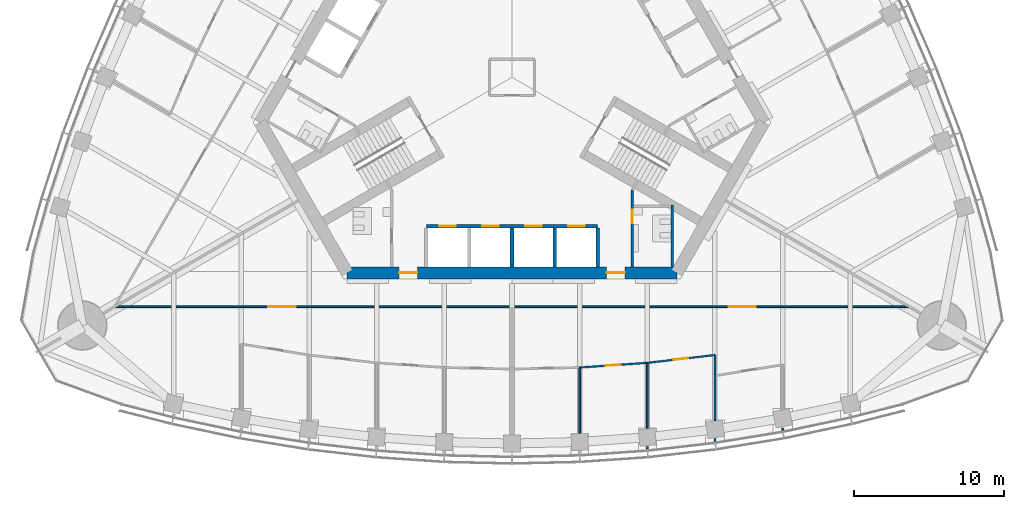
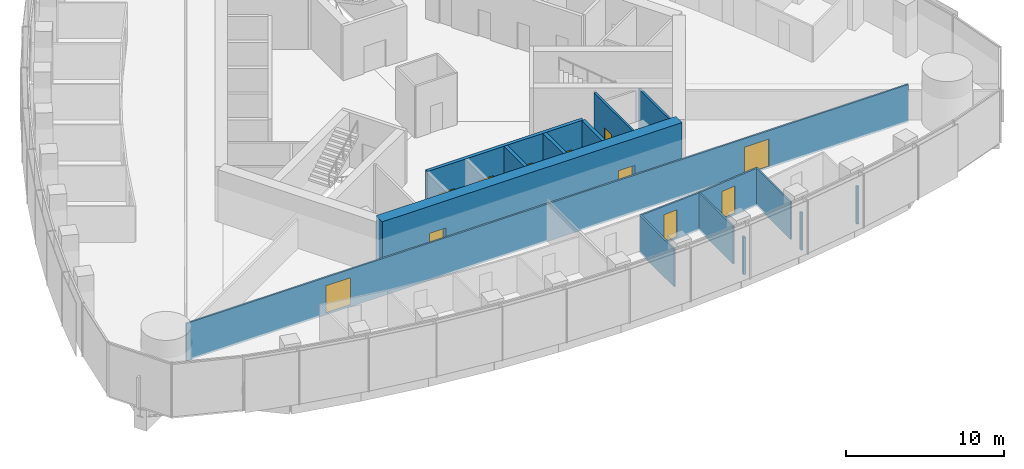
# One storey, part 12 of 20: 16 walls, 11 doors, 11 openings.
"""IFC4 building model written with IfcOpenShell, lengths in metres."""

from ifc_helpers import new_model, si_unit, direction, frame, frame_2d, origin, place, context, subcontext, project, spatial, rectangle, extrude, material, layer, layer_set, type_object, element, fill, save


model = new_model("IFC4")

# Units and contexts
model_context = context("Model", 3, precision=1e-05, world=origin(), true_north=direction((0.0, 1.0)))
body_context = subcontext(model_context, "Body", "Model", "MODEL_VIEW")
ifc_project = project(units=[si_unit("LENGTHUNIT", "METRE"), si_unit("AREAUNIT", "SQUARE_METRE"), si_unit("VOLUMEUNIT", "CUBIC_METRE"), si_unit("PLANEANGLEUNIT", "RADIAN"), si_unit("MASSUNIT", "GRAM", prefix="KILO")], contexts=[model_context])

# Site, building, storey
site_placement = place(None, origin())
site = spatial("IfcSite", under=ifc_project, at=site_placement, CompositionType="ELEMENT")
building_placement = place(site_placement, origin())
building = spatial("IfcBuilding", under=site, at=building_placement, Name="Trefoil Bronze Tower", CompositionType="ELEMENT")
storey_placement = place(building_placement, frame((0.0, 0.0, 214.89990234375)))
storey = spatial("IfcBuildingStorey", under=building, at=storey_placement, Name="L49", CompositionType="ELEMENT", Elevation=214.89990234375)

# Wall, openings, doors
ifc_material_1 = material(Name="Concrete B80", Category="concrete")
ifc_layer_1 = layer(ifc_material_1, 0.800048828125)
ifc_layer_set_1 = layer_set([ifc_layer_1], Name="Core wall 800")
wall_type_1 = type_object("IfcWallType", Name="Core wall 800", PredefinedType="SHEAR", material=ifc_layer_set_1)
wall_1_placement = place(storey_placement, frame((-10.9697265625, -13.0, 0.0), z_axis=(0.0, 0.0, 1.0), x_axis=(1.0, 0.0, 0.0)))
wall_1 = element("IfcWall", 1, at=wall_1_placement, inside=storey, type_object=wall_type_1, Name="Core long wall 1 L49", PredefinedType="SHEAR", context=body_context, shape_type="SweptSolid", body=[
    extrude(rectangle(XDim=21.939453125, YDim=0.800048828125, at=frame_2d((10.9697265625, 0.0))), origin(), (0.0, 0.0, 1.0), 4.2001953125),
])
opening_1_placement = place(wall_1_placement, frame((17.269775390625, 0.0, 0.0)))
opening_1 = element("IfcOpeningElement", 2, at=opening_1_placement, cuts=wall_1, Name="Opening D2", PredefinedType="OPENING", context=body_context, shape_type="SweptSolid", body=[
    extrude(rectangle(XDim=1.199951171875, YDim=2.10009765625, at=frame_2d((0.60009765625, 1.050048828125))), frame((0.0, 0.409912109375, 0.0), z_axis=(0.0, -1.0, 0.0), x_axis=(1.0, 0.0, 0.0)), (0.0, 0.0, 1.0), 0.820068359375),
])
opening_2_placement = place(wall_1_placement, frame((3.4697265625, 0.0, 0.0)))
opening_2 = element("IfcOpeningElement", 3, at=opening_2_placement, cuts=wall_1, Name="Opening D2", PredefinedType="OPENING", context=body_context, shape_type="SweptSolid", body=[
    extrude(rectangle(XDim=1.199951171875, YDim=2.10009765625, at=frame_2d((0.60009765625, 1.050048828125))), frame((0.0, 0.409912109375, 0.0), z_axis=(0.0, -1.0, 0.0), x_axis=(1.0, 0.0, 0.0)), (0.0, 0.0, 1.0), 0.820068359375),
])
ifc_material_2 = material(Name="Steel door", Category="steel")
door_type_1 = type_object("IfcDoorType", Name="Lobby door 1200", OperationType="SINGLE_SWING_RIGHT", PredefinedType="DOOR", material=ifc_material_2)
door_1_placement = place(opening_1_placement, origin())
door_1 = element("IfcDoor", 4, at=door_1_placement, inside=storey, type_object=door_type_1, Name="Lobby door F1+ L49", OperationType="SINGLE_SWING_RIGHT", OverallHeight=2.10009765625, OverallWidth=1.199951171875, PredefinedType="DOOR", context=body_context, shape_type="SweptSolid", body=[
    extrude(rectangle(XDim=1.199951171875, YDim=2.10009765625, at=frame_2d((0.60009765625, 1.050048828125))), frame((0.0, 0.02490234375, 0.0), z_axis=(0.0, -1.0, 0.0), x_axis=(1.0, 0.0, 0.0)), (0.0, 0.0, 1.0), 0.050048828125),
])
fill(opening_1, door_1)
door_2_placement = place(opening_2_placement, origin())
door_2 = element("IfcDoor", 5, at=door_2_placement, inside=storey, type_object=door_type_1, Name="Lobby door F1- L49", OperationType="SINGLE_SWING_LEFT", OverallHeight=2.10009765625, OverallWidth=1.199951171875, PredefinedType="DOOR", context=body_context, shape_type="SweptSolid", body=[
    extrude(rectangle(XDim=1.199951171875, YDim=2.10009765625, at=frame_2d((0.60009765625, 1.050048828125))), frame((0.0, 0.02490234375, 0.0), z_axis=(0.0, -1.0, 0.0), x_axis=(1.0, 0.0, 0.0)), (0.0, 0.0, 1.0), 0.050048828125),
])
fill(opening_2, door_2)

ifc_material_3 = material(Name="Glazed partition", Category="glass")
ifc_layer_2 = layer(ifc_material_3, 0.1201171875)
ifc_layer_set_2 = layer_set([ifc_layer_2], Name="Glazed partition 120")
wall_type_2 = type_object("IfcWallType", Name="Glazed partition 120", PredefinedType="PARTITIONING", material=ifc_layer_set_2)
wall_2_placement = place(storey_placement, frame((-26.398193359375, -15.260009765625, 0.0), z_axis=(0.0, 0.0, 1.0), x_axis=(1.0, 0.0, 0.0)))
wall_2 = element("IfcWall", 6, at=wall_2_placement, inside=storey, type_object=wall_type_2, Name="Partition F1 L49", PredefinedType="PARTITIONING", context=body_context, shape_type="SweptSolid", body=[
    extrude(rectangle(XDim=52.79638671875, YDim=0.1201171875, at=frame_2d((26.398193359375, 0.0))), origin(), (0.0, 0.0, 1.0), 2.900146484375),
])
opening_3_placement = place(wall_2_placement, frame((10.199951171875, 0.0, 0.14990234375)))
opening_3 = element("IfcOpeningElement", 7, at=opening_3_placement, cuts=wall_2, Name="Opening D10", PredefinedType="OPENING", context=body_context, shape_type="SweptSolid", body=[
    extrude(rectangle(XDim=1.800048828125, YDim=2.10009765625, at=frame_2d((0.89990234375, 1.050048828125))), frame((0.0, 0.070068359375, 0.0), z_axis=(0.0, -1.0, 0.0), x_axis=(1.0, 0.0, 0.0)), (0.0, 0.0, 1.0), 0.14013671875),
])
opening_4_placement = place(wall_2_placement, frame((40.800048828125, 0.0, 0.14990234375)))
opening_4 = element("IfcOpeningElement", 8, at=opening_4_placement, cuts=wall_2, Name="Opening D10", PredefinedType="OPENING", context=body_context, shape_type="SweptSolid", body=[
    extrude(rectangle(XDim=1.800048828125, YDim=2.10009765625, at=frame_2d((0.89990234375, 1.050048828125))), frame((0.0, 0.070068359375, 0.0), z_axis=(0.0, -1.0, 0.0), x_axis=(1.0, 0.0, 0.0)), (0.0, 0.0, 1.0), 0.14013671875),
])
ifc_material_4 = material(Name="Timber door", Category="wood")
door_type_2 = type_object("IfcDoorType", Name="Double door 1800", OperationType="DOUBLE_DOOR_SINGLE_SWING", PredefinedType="DOOR", material=ifc_material_4)
door_3_placement = place(opening_3_placement, origin())
door_3 = element("IfcDoor", 9, at=door_3_placement, inside=storey, type_object=door_type_2, Name="Corridor door F1 L49", OperationType="DOUBLE_DOOR_SINGLE_SWING", OverallHeight=2.10009765625, OverallWidth=1.800048828125, PredefinedType="DOOR", context=body_context, shape_type="SweptSolid", body=[
    extrude(rectangle(XDim=1.800048828125, YDim=2.10009765625, at=frame_2d((0.89990234375, 1.050048828125))), frame((0.0, 0.02490234375, 0.0), z_axis=(0.0, -1.0, 0.0), x_axis=(1.0, 0.0, 0.0)), (0.0, 0.0, 1.0), 0.050048828125),
])
fill(opening_3, door_3)
door_4_placement = place(opening_4_placement, origin())
door_4 = element("IfcDoor", 10, at=door_4_placement, inside=storey, type_object=door_type_2, Name="Corridor door F1 L49", OperationType="DOUBLE_DOOR_SINGLE_SWING", OverallHeight=2.10009765625, OverallWidth=1.800048828125, PredefinedType="DOOR", context=body_context, shape_type="SweptSolid", body=[
    extrude(rectangle(XDim=1.800048828125, YDim=2.10009765625, at=frame_2d((0.89990234375, 1.050048828125))), frame((0.0, 0.02490234375, 0.0), z_axis=(0.0, -1.0, 0.0), x_axis=(1.0, 0.0, 0.0)), (0.0, 0.0, 1.0), 0.050048828125),
])
fill(opening_4, door_4)

# Wall, opening, door
wall_3_placement = place(storey_placement, frame((4.5, -19.297119140625, 0.0), z_axis=(0.0, 0.0, 1.0), x_axis=(0.997623533978, 0.068900540297, 0.0)))
wall_3 = element("IfcWall", 11, at=wall_3_placement, inside=storey, type_object=wall_type_2, Name="Partition F1 L49", PredefinedType="PARTITIONING", context=body_context, shape_type="SweptSolid", body=[
    extrude(rectangle(XDim=4.5107421875, YDim=0.1201171875, at=frame_2d((2.25537109375, 0.0))), origin(), (0.0, 0.0, 1.0), 2.900146484375),
])
opening_5_placement = place(wall_3_placement, frame((1.75, 0.0, 0.14990234375)))
opening_5 = element("IfcOpeningElement", 12, at=opening_5_placement, cuts=wall_3, Name="Opening D9", PredefinedType="OPENING", context=body_context, shape_type="SweptSolid", body=[
    extrude(rectangle(XDim=1.0, YDim=2.10009765625, at=frame_2d((0.5, 1.050048828125))), frame((0.0, 0.070068359375, 0.0), z_axis=(0.0, -1.0, 0.0), x_axis=(1.0, 0.0, 0.0)), (0.0, 0.0, 1.0), 0.14013671875),
])
ifc_material_5 = material(Name="Glazed timber door", Category="wood")
door_type_3 = type_object("IfcDoorType", Name="Meeting room door 1000", OperationType="SINGLE_SWING_LEFT", PredefinedType="DOOR", material=ifc_material_5)
door_5_placement = place(opening_5_placement, frame((1.0, 0.0, 0.0), z_axis=(0.0, 0.0, 1.0), x_axis=(-1.0, 0.0, 0.0)))
door_5 = element("IfcDoor", 13, at=door_5_placement, inside=storey, type_object=door_type_3, Name="Meeting room door F1 L49", OperationType="SINGLE_SWING_RIGHT", OverallHeight=2.10009765625, OverallWidth=1.0, PredefinedType="DOOR", context=body_context, shape_type="SweptSolid", body=[
    extrude(rectangle(XDim=1.0, YDim=2.10009765625, at=frame_2d((0.5, 1.050048828125))), frame((0.0, 0.02490234375, 0.0), z_axis=(0.0, -1.0, 0.0), x_axis=(1.0, 0.0, 0.0)), (0.0, 0.0, 1.0), 0.050048828125),
])
fill(opening_5, door_5)

wall_4_placement = place(storey_placement, frame((9.0, -18.986328125, 0.0), z_axis=(0.0, 0.0, 1.0), x_axis=(0.993382946625, 0.114849124309, 0.0)))
wall_4 = element("IfcWall", 14, at=wall_4_placement, inside=storey, type_object=wall_type_2, Name="Partition F1 L49", PredefinedType="PARTITIONING", context=body_context, shape_type="SweptSolid", body=[
    extrude(rectangle(XDim=4.530029296875, YDim=0.1201171875, at=frame_2d((2.26513671875, 0.0))), origin(), (0.0, 0.0, 1.0), 2.900146484375),
])
opening_6_placement = place(wall_4_placement, frame((1.75, 0.0, 0.14990234375)))
opening_6 = element("IfcOpeningElement", 15, at=opening_6_placement, cuts=wall_4, Name="Opening D9", PredefinedType="OPENING", context=body_context, shape_type="SweptSolid", body=[
    extrude(rectangle(XDim=1.0, YDim=2.10009765625, at=frame_2d((0.5, 1.050048828125))), frame((0.0, 0.070068359375, 0.0), z_axis=(0.0, -1.0, 0.0), x_axis=(1.0, 0.0, 0.0)), (0.0, 0.0, 1.0), 0.14013671875),
])
door_6_placement = place(opening_6_placement, frame((1.0, 0.0, 0.0), z_axis=(0.0, 0.0, 1.0), x_axis=(-1.0, 0.0, 0.0)))
door_6 = element("IfcDoor", 16, at=door_6_placement, inside=storey, type_object=door_type_3, Name="Meeting room door F1 L49", OperationType="SINGLE_SWING_RIGHT", OverallHeight=2.10009765625, OverallWidth=1.0, PredefinedType="DOOR", context=body_context, shape_type="SweptSolid", body=[
    extrude(rectangle(XDim=1.0, YDim=2.10009765625, at=frame_2d((0.5, 1.050048828125))), frame((0.0, 0.02490234375, 0.0), z_axis=(0.0, -1.0, 0.0), x_axis=(1.0, 0.0, 0.0)), (0.0, 0.0, 1.0), 0.050048828125),
])
fill(opening_6, door_6)

# Walls
wall_5_placement = place(storey_placement, frame((13.5, -18.466064453125, 0.0), z_axis=(0.0, 0.0, 1.0), x_axis=(0.0, -1.0, 0.0)))
element("IfcWall", 17, at=wall_5_placement, inside=storey, type_object=wall_type_2, Name="Partition F1 L49", PredefinedType="PARTITIONING", context=body_context, shape_type="SweptSolid", body=[
    extrude(rectangle(XDim=4.356689453125, YDim=0.1201171875, at=frame_2d((2.17822265625, 0.0))), origin(), (0.0, 0.0, 1.0), 2.900146484375),
])
wall_6_placement = place(storey_placement, frame((4.5, -19.297119140625, 0.0), z_axis=(0.0, 0.0, 1.0), x_axis=(0.0, -1.0, 0.0)))
element("IfcWall", 18, at=wall_6_placement, inside=storey, type_object=wall_type_2, Name="Partition F1 L49", PredefinedType="PARTITIONING", context=body_context, shape_type="SweptSolid", body=[
    extrude(rectangle(XDim=4.36865234375, YDim=0.1201171875, at=frame_2d((2.184326171875, 0.0))), origin(), (0.0, 0.0, 1.0), 2.900146484375),
])
wall_7_placement = place(storey_placement, frame((9.0, -18.986328125, 0.0), z_axis=(0.0, 0.0, 1.0), x_axis=(0.0, -1.0, 0.0)))
element("IfcWall", 19, at=wall_7_placement, inside=storey, type_object=wall_type_2, Name="Partition F1 L49", PredefinedType="PARTITIONING", context=body_context, shape_type="SweptSolid", body=[
    extrude(rectangle(XDim=4.3642578125, YDim=0.1201171875, at=frame_2d((2.18212890625, 0.0))), origin(), (0.0, 0.0, 1.0), 2.900146484375),
])

# Wall, opening, door
ifc_material_6 = material(Name="Gypsum board on steel studs", Category="steel")
ifc_layer_3 = layer(ifc_material_6, 0.14990234375)
ifc_layer_set_3 = layer_set([ifc_layer_3], Name="Partition 150")
wall_type_3 = type_object("IfcWallType", Name="Partition 150", PredefinedType="PARTITIONING", material=ifc_layer_set_3)
wall_8_placement = place(storey_placement, frame((8.0, -7.5, 0.0), z_axis=(0.0, 0.0, 1.0), x_axis=(0.0, -1.0, 0.0)))
wall_8 = element("IfcWall", 20, at=wall_8_placement, inside=storey, type_object=wall_type_3, Name="Passage wall F1+ L49", PredefinedType="PARTITIONING", context=body_context, shape_type="SweptSolid", body=[
    extrude(rectangle(XDim=5.10009765625, YDim=0.14990234375, at=frame_2d((2.550048828125, 0.0))), origin(), (0.0, 0.0, 1.0), 4.0),
])
opening_7_placement = place(wall_8_placement, frame((1.300048828125, 0.0, 0.0)))
opening_7 = element("IfcOpeningElement", 21, at=opening_7_placement, cuts=wall_8, Name="Opening D3", PredefinedType="OPENING", context=body_context, shape_type="SweptSolid", body=[
    extrude(rectangle(XDim=0.89990234375, YDim=2.10009765625, at=frame_2d((0.449951171875, 1.050048828125))), frame((0.0, 0.0849609375, 0.0), z_axis=(0.0, -1.0, 0.0), x_axis=(1.0, 0.0, 0.0)), (0.0, 0.0, 1.0), 0.169921875),
])
ifc_material_7 = material(Name="Timber door", Category="wood")
door_type_4 = type_object("IfcDoorType", Name="WC door 900", OperationType="SINGLE_SWING_LEFT", PredefinedType="DOOR", material=ifc_material_7)
door_7_placement = place(opening_7_placement, origin())
door_7 = element("IfcDoor", 22, at=door_7_placement, inside=storey, type_object=door_type_4, Name="WC (men) door L49", OperationType="SINGLE_SWING_LEFT", OverallHeight=2.10009765625, OverallWidth=0.89990234375, PredefinedType="DOOR", context=body_context, shape_type="SweptSolid", body=[
    extrude(rectangle(XDim=0.89990234375, YDim=2.10009765625, at=frame_2d((0.449951171875, 1.050048828125))), frame((0.0, 0.02490234375, 0.0), z_axis=(0.0, -1.0, 0.0), x_axis=(1.0, 0.0, 0.0)), (0.0, 0.0, 1.0), 0.050048828125),
])
fill(opening_7, door_7)

# Walls
wall_9_placement = place(storey_placement, frame((10.659912109375, -8.5, 0.0), z_axis=(0.0, 0.0, 1.0), x_axis=(0.0, -1.0, 0.0)))
element("IfcWall", 23, at=wall_9_placement, inside=storey, type_object=wall_type_3, Name="WC partition WC (men) L49", PredefinedType="PARTITIONING", context=body_context, shape_type="SweptSolid", body=[
    extrude(rectangle(XDim=4.10009765625, YDim=0.14990234375, at=frame_2d((2.050048828125, 0.0))), origin(), (0.0, 0.0, 1.0), 4.0),
])
wall_10_placement = place(storey_placement, frame((13.5, -24.032958984375, 0.0), z_axis=(0.0, 0.0, 1.0), x_axis=(0.0, -1.0, 0.0)))
element("IfcWall", 24, at=wall_10_placement, inside=storey, type_object=wall_type_3, Name="Partition F1 L49", PredefinedType="PARTITIONING", context=body_context, shape_type="SweptSolid", body=[
    extrude(rectangle(XDim=0.17822265625, YDim=0.14990234375, at=frame_2d((0.089111328125, 0.0))), origin(), (0.0, 0.0, 1.0), 2.900146484375),
])
wall_11_placement = place(storey_placement, frame((18.0, -23.31494140625, 0.0), z_axis=(0.0, 0.0, 1.0), x_axis=(0.0, -1.0, 0.0)))
element("IfcWall", 25, at=wall_11_placement, inside=storey, type_object=wall_type_3, Name="Partition F1 L49", PredefinedType="PARTITIONING", context=body_context, shape_type="SweptSolid", body=[
    extrude(rectangle(XDim=0.1630859375, YDim=0.14990234375, at=frame_2d((0.08154296875, 0.0))), origin(), (0.0, 0.0, 1.0), 2.900146484375),
])
wall_12_placement = place(storey_placement, frame((9.0, -24.535400390625, 0.0), z_axis=(0.0, 0.0, 1.0), x_axis=(0.0, -1.0, 0.0)))
element("IfcWall", 26, at=wall_12_placement, inside=storey, type_object=wall_type_3, Name="Partition F1 L49", PredefinedType="PARTITIONING", context=body_context, shape_type="SweptSolid", body=[
    extrude(rectangle(XDim=0.196044921875, YDim=0.14990234375, at=frame_2d((0.09814453125, 0.0))), origin(), (0.0, 0.0, 1.0), 2.900146484375),
])

# Wall, openings, doors
ifc_material_8 = material(Name="Concrete B80", Category="concrete")
ifc_layer_4 = layer(ifc_material_8, 0.25)
ifc_layer_set_4 = layer_set([ifc_layer_4], Name="Shaft wall 250")
wall_type_4 = type_object("IfcWallType", Name="Shaft wall 250", PredefinedType="SHEAR", material=ifc_layer_set_4)
wall_13_placement = place(storey_placement, frame((-5.699951171875, -9.89990234375, 0.0), z_axis=(0.0, 0.0, 1.0), x_axis=(1.0, 0.0, 0.0)))
wall_13 = element("IfcWall", 27, at=wall_13_placement, inside=storey, type_object=wall_type_4, Name="Lift shaft front wall A L49", PredefinedType="SHEAR", context=body_context, shape_type="SweptSolid", body=[
    extrude(rectangle(XDim=11.39990234375, YDim=0.25, at=frame_2d((5.699951171875, 0.0))), origin(), (0.0, 0.0, 1.0), 4.2001953125),
])
opening_8_placement = place(wall_13_placement, frame((0.875, 0.0, 0.0)))
opening_8 = element("IfcOpeningElement", 28, at=opening_8_placement, cuts=wall_13, Name="Opening LD-P31", PredefinedType="OPENING", context=body_context, shape_type="SweptSolid", body=[
    extrude(rectangle(XDim=1.10009765625, YDim=2.199951171875, at=frame_2d((0.550048828125, 1.10009765625))), frame((0.0, 0.135009765625, 0.0), z_axis=(0.0, -1.0, 0.0), x_axis=(1.0, 0.0, 0.0)), (0.0, 0.0, 1.0), 0.27001953125),
])
opening_9_placement = place(wall_13_placement, frame((3.72509765625, 0.0, 0.0)))
opening_9 = element("IfcOpeningElement", 29, at=opening_9_placement, cuts=wall_13, Name="Opening LD-P32", PredefinedType="OPENING", context=body_context, shape_type="SweptSolid", body=[
    extrude(rectangle(XDim=1.10009765625, YDim=2.199951171875, at=frame_2d((0.550048828125, 1.10009765625))), frame((0.0, 0.135009765625, 0.0), z_axis=(0.0, -1.0, 0.0), x_axis=(1.0, 0.0, 0.0)), (0.0, 0.0, 1.0), 0.27001953125),
])
opening_10_placement = place(wall_13_placement, frame((6.574951171875, 0.0, 0.0)))
opening_10 = element("IfcOpeningElement", 30, at=opening_10_placement, cuts=wall_13, Name="Opening LD-P33", PredefinedType="OPENING", context=body_context, shape_type="SweptSolid", body=[
    extrude(rectangle(XDim=1.10009765625, YDim=2.199951171875, at=frame_2d((0.550048828125, 1.10009765625))), frame((0.0, 0.135009765625, 0.0), z_axis=(0.0, -1.0, 0.0), x_axis=(1.0, 0.0, 0.0)), (0.0, 0.0, 1.0), 0.27001953125),
])
opening_11_placement = place(wall_13_placement, frame((9.425048828125, 0.0, 0.0)))
opening_11 = element("IfcOpeningElement", 31, at=opening_11_placement, cuts=wall_13, Name="Opening LD-P34", PredefinedType="OPENING", context=body_context, shape_type="SweptSolid", body=[
    extrude(rectangle(XDim=1.10009765625, YDim=2.199951171875, at=frame_2d((0.550048828125, 1.10009765625))), frame((0.0, 0.135009765625, 0.0), z_axis=(0.0, -1.0, 0.0), x_axis=(1.0, 0.0, 0.0)), (0.0, 0.0, 1.0), 0.27001953125),
])
ifc_material_9 = material(Name="Steel door", Category="steel")
door_type_5 = type_object("IfcDoorType", Name="Lift landing door 1100", OperationType="DOUBLE_DOOR_SLIDING", PredefinedType="DOOR", material=ifc_material_9)
door_8_placement = place(opening_8_placement, origin())
door_8 = element("IfcDoor", 32, at=door_8_placement, inside=storey, type_object=door_type_5, Name="Lift P31 landing door L49", OperationType="DOUBLE_DOOR_SLIDING", OverallHeight=2.199951171875, OverallWidth=1.10009765625, PredefinedType="DOOR", context=body_context, shape_type="SweptSolid", body=[
    extrude(rectangle(XDim=1.10009765625, YDim=2.199951171875, at=frame_2d((0.550048828125, 1.10009765625))), frame((0.0, 0.02490234375, 0.0), z_axis=(0.0, -1.0, 0.0), x_axis=(1.0, 0.0, 0.0)), (0.0, 0.0, 1.0), 0.050048828125),
])
fill(opening_8, door_8)
door_9_placement = place(opening_9_placement, origin())
door_9 = element("IfcDoor", 33, at=door_9_placement, inside=storey, type_object=door_type_5, Name="Lift P32 landing door L49", OperationType="DOUBLE_DOOR_SLIDING", OverallHeight=2.199951171875, OverallWidth=1.10009765625, PredefinedType="DOOR", context=body_context, shape_type="SweptSolid", body=[
    extrude(rectangle(XDim=1.10009765625, YDim=2.199951171875, at=frame_2d((0.550048828125, 1.10009765625))), frame((0.0, 0.02490234375, 0.0), z_axis=(0.0, -1.0, 0.0), x_axis=(1.0, 0.0, 0.0)), (0.0, 0.0, 1.0), 0.050048828125),
])
fill(opening_9, door_9)
door_10_placement = place(opening_10_placement, origin())
door_10 = element("IfcDoor", 34, at=door_10_placement, inside=storey, type_object=door_type_5, Name="Lift P33 landing door L49", OperationType="DOUBLE_DOOR_SLIDING", OverallHeight=2.199951171875, OverallWidth=1.10009765625, PredefinedType="DOOR", context=body_context, shape_type="SweptSolid", body=[
    extrude(rectangle(XDim=1.10009765625, YDim=2.199951171875, at=frame_2d((0.550048828125, 1.10009765625))), frame((0.0, 0.02490234375, 0.0), z_axis=(0.0, -1.0, 0.0), x_axis=(1.0, 0.0, 0.0)), (0.0, 0.0, 1.0), 0.050048828125),
])
fill(opening_10, door_10)
door_11_placement = place(opening_11_placement, origin())
door_11 = element("IfcDoor", 35, at=door_11_placement, inside=storey, type_object=door_type_5, Name="Lift P34 landing door L49", OperationType="DOUBLE_DOOR_SLIDING", OverallHeight=2.199951171875, OverallWidth=1.10009765625, PredefinedType="DOOR", context=body_context, shape_type="SweptSolid", body=[
    extrude(rectangle(XDim=1.10009765625, YDim=2.199951171875, at=frame_2d((0.550048828125, 1.10009765625))), frame((0.0, 0.02490234375, 0.0), z_axis=(0.0, -1.0, 0.0), x_axis=(1.0, 0.0, 0.0)), (0.0, 0.0, 1.0), 0.050048828125),
])
fill(opening_11, door_11)

# Walls
for number, where, z_axis, x_axis, name in (
    (36, (0.0, -10.02490234375, 0.0), (0.0, 0.0, 1.0), (0.0, -1.0, 0.0), "Lift shaft side wall A2 L49"),
    (37, (2.85009765625, -10.02490234375, 0.0), (0.0, 0.0, 1.0), (0.0, -1.0, 0.0), "Lift shaft side wall A3 L49"),
    (38, (5.699951171875, -10.02490234375, 0.0), (0.0, 0.0, 1.0), (0.0, -1.0, 0.0), "Lift shaft side wall A4 L49"),
):
    element("IfcWall", number, at=place(storey_placement, frame(where, z_axis=z_axis, x_axis=x_axis)), inside=storey, type_object=wall_type_4, Name=name, PredefinedType="SHEAR", context=body_context, shape_type="SweptSolid", body=[
        extrude(rectangle(XDim=2.5751953125, YDim=0.25, at=frame_2d((1.28759765625, 0.0))), origin(), (0.0, 0.0, 1.0), 4.2001953125),
    ])

save(model, "model.ifc")
